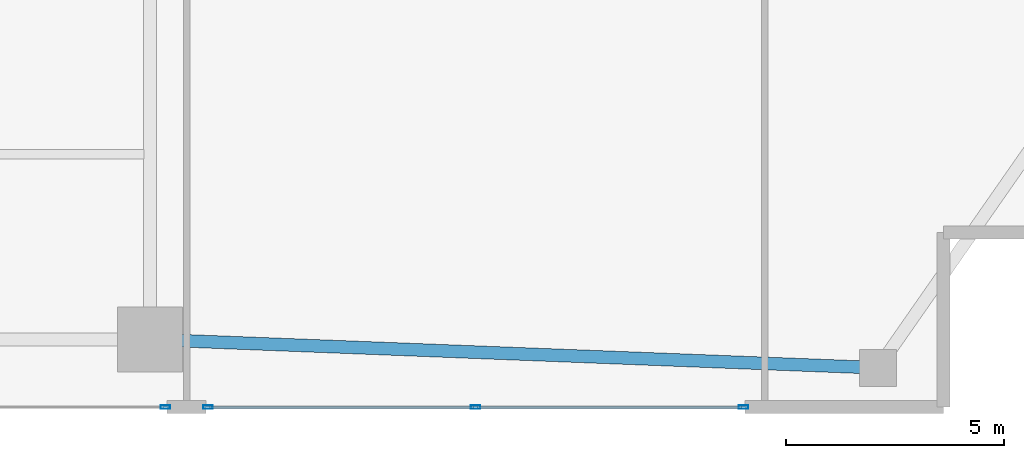
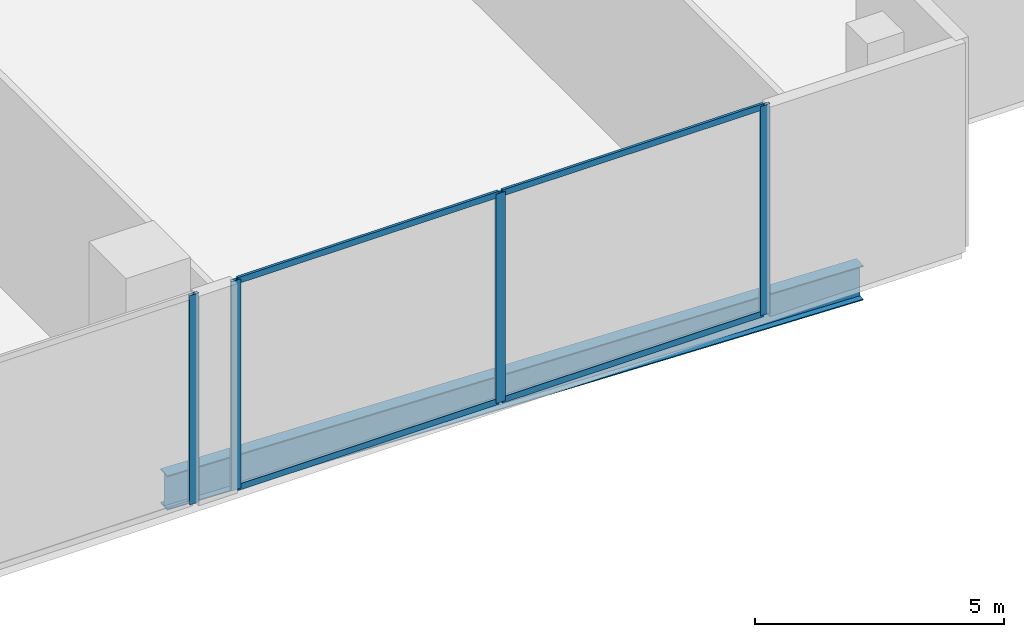
# One storey, part 10 of 30: 8 members, 1 beam, 2 elements without a shape of their own.
"""IFC4 building model written with IfcOpenShell, lengths in metres."""

from ifc_helpers import new_model, si_unit, direction, frame, origin, origin_2d, place, context, subcontext, project, spatial, hollow_rectangle, i_section, extrude, material, layer, layer_set, material_profile, profile_set, type_object, element, aggregate, save


model = new_model("IFC4")

# Units and contexts
model_context = context("Model", 3, precision=1e-05, world=origin(), true_north=direction((0.0, 1.0)))
body_context = subcontext(model_context, "Body", "Model", "MODEL_VIEW")
ifc_project = project(units=[si_unit("LENGTHUNIT", "METRE"), si_unit("AREAUNIT", "SQUARE_METRE"), si_unit("VOLUMEUNIT", "CUBIC_METRE"), si_unit("PLANEANGLEUNIT", "RADIAN"), si_unit("MASSUNIT", "GRAM", prefix="KILO")], contexts=[model_context])

# Site, building, storey
site_placement = place(None, origin())
site = spatial("IfcSite", under=ifc_project, at=site_placement, CompositionType="ELEMENT")
building_placement = place(site_placement, origin())
building = spatial("IfcBuilding", under=site, at=building_placement, Name="Zuhayl Quay Hotel", CompositionType="ELEMENT")
storey_placement = place(building_placement, frame((0.0, 0.0, 6.0)))
storey = spatial("IfcBuildingStorey", under=building, at=storey_placement, Name="L01", CompositionType="ELEMENT", Elevation=6.0)

# Beam
ifc_material_1 = material(Name="Steel ASTM A992 Grade 50", Category="steel")
ifc_material_profile_1 = material_profile(ifc_material_1, i_section(OverallWidth=0.2919921875, OverallDepth=0.845947265625, WebThickness=0.015380859375, FlangeThickness=0.0244140625, at=origin_2d()), Name="W33X141")
ifc_profile_set_1 = profile_set([ifc_material_profile_1], Name="Steel ASTM A992 Grade 50")
beam_type = type_object("IfcBeamType", Name="BM_PG3_W33X141", PredefinedType="BEAM", material=ifc_profile_set_1)
beam_placement = place(storey_placement, frame((14.349609375, -22.471435546875, -0.673095703125), z_axis=(0.999243175194, -0.038898288239, 0.0), x_axis=(0.038898288239, 0.999243175194, 0.0)))
element("IfcBeam", 1, at=beam_placement, inside=storey, type_object=beam_type, Name="L01 Floor Beam PG_S_L01_4", PredefinedType="BEAM", context=body_context, shape_type="SweptSolid", body=[
    extrude(i_section(OverallWidth=0.2919921875, OverallDepth=0.845947265625, WebThickness=0.015380859375, FlangeThickness=0.0244140625, at=origin_2d()), origin(), (0.0, 0.0, 1.0), 15.82275390625),
])

# Curtain wall, members
ifc_material_2 = material(Name="Anodised Aluminium 6063-T6", Category="aluminium")
ifc_layer = layer(ifc_material_2, 0.199951171875, Name="Anodised Aluminium 6063-T6", Category="aluminium")
ifc_layer_set = layer_set([ifc_layer], Name="Anodised Aluminium 6063-T6")
curtain_wall_type = type_object("IfcCurtainWallType", Name="CW_SYS_POD", PredefinedType="USERDEFINED", material=ifc_layer_set)
curtain_wall_1_placement = place(storey_placement, origin())
curtain_wall_1 = element("IfcCurtainWall", 2, at=curtain_wall_1_placement, inside=storey, type_object=curtain_wall_type, Name="L01 Curtain Wall ENV_L01_E11_CW1", ObjectType="UNITISED CURTAIN WALL", PredefinedType="USERDEFINED")
ifc_material_3 = material(Name="Black-anodised aluminium 6063-T6", Category="aluminium")
ifc_material_profile_2 = material_profile(ifc_material_3, hollow_rectangle(XDim=0.074951171875, YDim=0.219970703125, WallThickness=0.00390625, at=origin_2d()), Name="ALU220X75")
ifc_profile_set_2 = profile_set([ifc_material_profile_2], Name="Black-anodised aluminium 6063-T6")
member_type_1 = type_object("IfcMemberType", Name="MB_CW_MUL_220", PredefinedType="MULLION", material=ifc_profile_set_2)
member_1_placement = place(storey_placement, frame((27.41259765625, -24.0, 0.0), z_axis=(0.0, 0.0, 1.0), x_axis=(0.0, -1.0, 0.0)))
member_1 = element("IfcMember", 3, at=member_1_placement, type_object=member_type_1, Name="CW-POD mullion 1", PredefinedType="MULLION", context=body_context, shape_type="SweptSolid", body=[
    extrude(hollow_rectangle(XDim=0.074951171875, YDim=0.219970703125, WallThickness=0.00390625, at=origin_2d()), origin(), (0.0, 0.0, 1.0), 5.139892578125),
])
member_2_placement = place(storey_placement, frame((21.27001953125, -24.0, 0.0), z_axis=(0.0, 0.0, 1.0), x_axis=(0.0, -1.0, 0.0)))
member_2 = element("IfcMember", 4, at=member_2_placement, type_object=member_type_1, Name="CW-POD mullion 2", PredefinedType="MULLION", context=body_context, shape_type="SweptSolid", body=[
    extrude(hollow_rectangle(XDim=0.074951171875, YDim=0.219970703125, WallThickness=0.00390625, at=origin_2d()), origin(), (0.0, 0.0, 1.0), 5.139892578125),
])
member_3_placement = place(storey_placement, frame((15.12744140625, -24.0, 0.0), z_axis=(0.0, 0.0, 1.0), x_axis=(0.0, -1.0, 0.0)))
member_3 = element("IfcMember", 5, at=member_3_placement, type_object=member_type_1, Name="CW-POD mullion 3", PredefinedType="MULLION", context=body_context, shape_type="SweptSolid", body=[
    extrude(hollow_rectangle(XDim=0.074951171875, YDim=0.219970703125, WallThickness=0.00390625, at=origin_2d()), origin(), (0.0, 0.0, 1.0), 5.139892578125),
])

# Curtain wall, member
curtain_wall_2_placement = place(storey_placement, origin())
curtain_wall_2 = element("IfcCurtainWall", 6, at=curtain_wall_2_placement, inside=storey, type_object=curtain_wall_type, Name="L01 Curtain Wall ENV_L01_E11_CW2", ObjectType="UNITISED CURTAIN WALL", PredefinedType="USERDEFINED")
member_4_placement = place(storey_placement, frame((14.152587890625, -24.0, 0.0), z_axis=(0.0, 0.0, 1.0), x_axis=(0.0, -1.0, 0.0)))
member_4 = element("IfcMember", 7, at=member_4_placement, type_object=member_type_1, Name="CW-POD mullion 1", PredefinedType="MULLION", context=body_context, shape_type="SweptSolid", body=[
    extrude(hollow_rectangle(XDim=0.074951171875, YDim=0.219970703125, WallThickness=0.00390625, at=origin_2d()), origin(), (0.0, 0.0, 1.0), 5.139892578125),
])
aggregate(curtain_wall_2, [member_4])

# Member
ifc_material_profile_3 = material_profile(ifc_material_3, hollow_rectangle(XDim=0.06005859375, YDim=0.14990234375, WallThickness=0.00341796875, at=origin_2d()), Name="ALU150X60")
ifc_profile_set_3 = profile_set([ifc_material_profile_3], Name="Black-anodised aluminium 6063-T6")
member_type_2 = type_object("IfcMemberType", Name="MB_CW_TRN_150", PredefinedType="USERDEFINED", material=ifc_profile_set_3)
member_5_placement = place(storey_placement, frame((27.375, -24.0, 0.030029296875), z_axis=(-1.0, 0.0, 0.0), x_axis=(0.0, -1.0, 0.0)))
member_5 = element("IfcMember", 8, at=member_5_placement, type_object=member_type_2, Name="CW-POD transom 1.1", ObjectType="TRANSOM", PredefinedType="USERDEFINED", context=body_context, shape_type="SweptSolid", body=[
    extrude(hollow_rectangle(XDim=0.06005859375, YDim=0.14990234375, WallThickness=0.00341796875, at=origin_2d()), origin(), (0.0, 0.0, 1.0), 6.0673828125),
])

member_6_placement = place(storey_placement, frame((27.375, -24.0, 5.110107421875), z_axis=(-1.0, 0.0, 0.0), x_axis=(0.0, -1.0, 0.0)))
member_6 = element("IfcMember", 9, at=member_6_placement, type_object=member_type_2, Name="CW-POD transom 1.2", ObjectType="TRANSOM", PredefinedType="USERDEFINED", context=body_context, shape_type="SweptSolid", body=[
    extrude(hollow_rectangle(XDim=0.06005859375, YDim=0.14990234375, WallThickness=0.00341796875, at=origin_2d()), origin(), (0.0, 0.0, 1.0), 6.0673828125),
])

member_7_placement = place(storey_placement, frame((21.232421875, -24.0, 0.030029296875), z_axis=(-1.0, 0.0, 0.0), x_axis=(0.0, -1.0, 0.0)))
member_7 = element("IfcMember", 10, at=member_7_placement, type_object=member_type_2, Name="CW-POD transom 2.1", ObjectType="TRANSOM", PredefinedType="USERDEFINED", context=body_context, shape_type="SweptSolid", body=[
    extrude(hollow_rectangle(XDim=0.06005859375, YDim=0.14990234375, WallThickness=0.00341796875, at=origin_2d()), origin(), (0.0, 0.0, 1.0), 6.0673828125),
])

member_8_placement = place(storey_placement, frame((21.232421875, -24.0, 5.110107421875), z_axis=(-1.0, 0.0, 0.0), x_axis=(0.0, -1.0, 0.0)))
member_8 = element("IfcMember", 11, at=member_8_placement, type_object=member_type_2, Name="CW-POD transom 2.2", ObjectType="TRANSOM", PredefinedType="USERDEFINED", context=body_context, shape_type="SweptSolid", body=[
    extrude(hollow_rectangle(XDim=0.06005859375, YDim=0.14990234375, WallThickness=0.00341796875, at=origin_2d()), origin(), (0.0, 0.0, 1.0), 6.0673828125),
])

aggregate(curtain_wall_1, [member_1, member_2, member_3, member_5, member_6, member_7, member_8])

save(model, "model.ifc")
